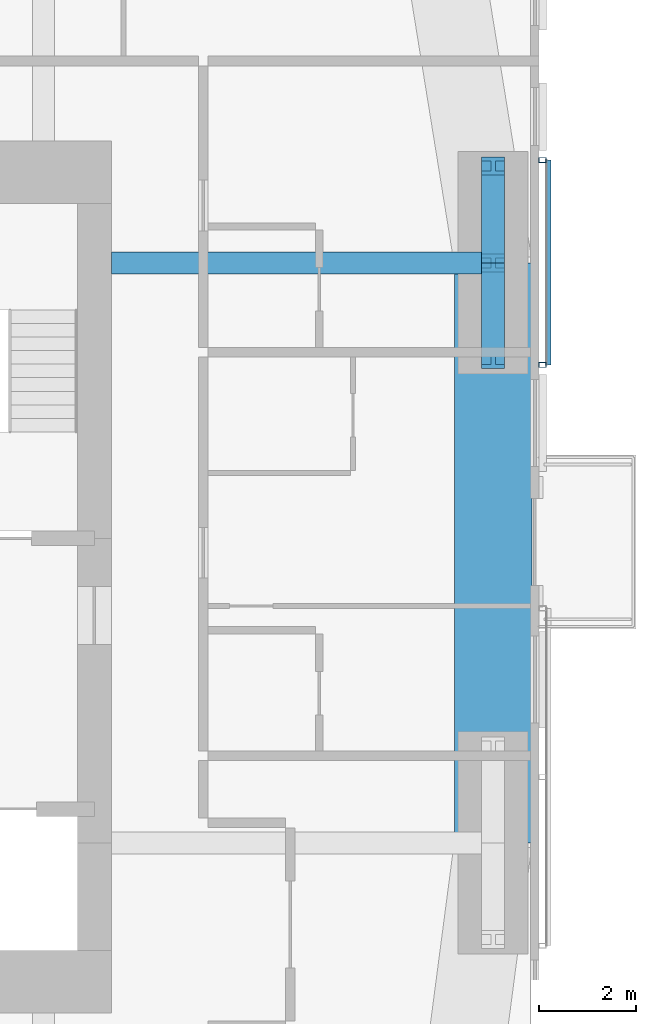
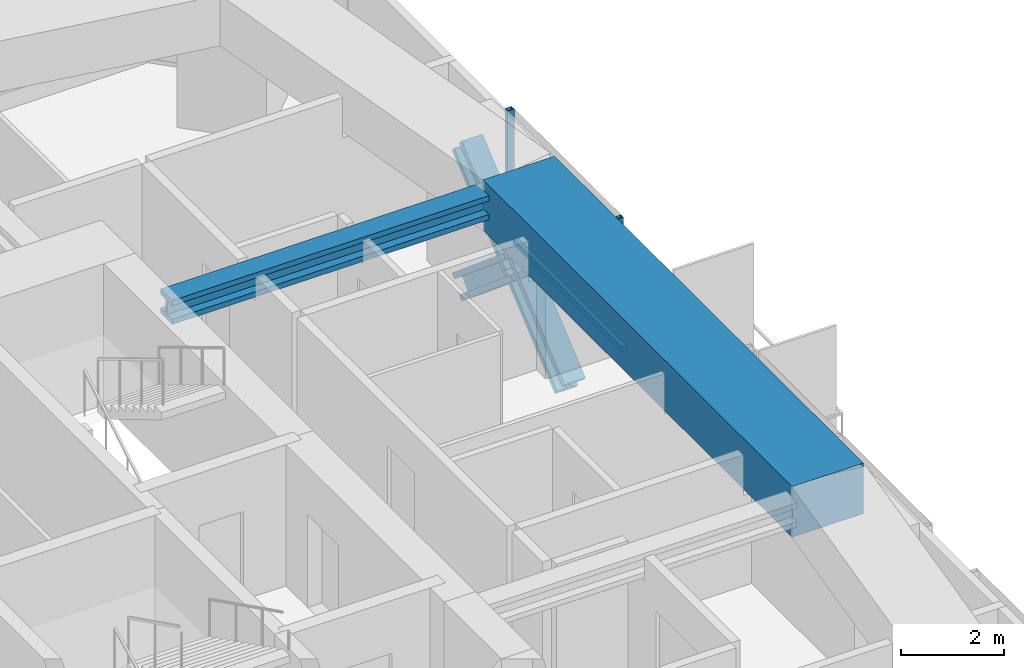
# One storey, part 8 of 22: 7 members, 2 beams, 1 element without a shape of its own.
"""IFC4 building model written with IfcOpenShell, lengths in metres."""

from ifc_helpers import new_model, si_unit, direction, frame, origin, origin_2d, place, context, subcontext, project, spatial, rectangle, hollow_rectangle, i_section, extrude, material, material_profile, profile_set, type_object, element, aggregate, save


model = new_model("IFC4")

# Units and contexts
model_context = context("Model", 3, precision=1e-05, world=origin(), true_north=direction((0.0, 1.0)))
body_context = subcontext(model_context, "Body", "Model", "MODEL_VIEW")
ifc_project = project(units=[si_unit("LENGTHUNIT", "METRE"), si_unit("AREAUNIT", "SQUARE_METRE"), si_unit("VOLUMEUNIT", "CUBIC_METRE"), si_unit("PLANEANGLEUNIT", "RADIAN"), si_unit("MASSUNIT", "GRAM", prefix="KILO")], contexts=[model_context])

# Site, building, storey
site_placement = place(None, origin())
site = spatial("IfcSite", under=ifc_project, at=site_placement, CompositionType="ELEMENT")
building_placement = place(site_placement, origin())
building = spatial("IfcBuilding", under=site, at=building_placement, Name="Jalousie Tower", CompositionType="ELEMENT")
storey_placement = place(building_placement, frame((0.0, 0.0, 177.800048828125)))
storey = spatial("IfcBuildingStorey", under=building, at=storey_placement, Name="L48", CompositionType="ELEMENT", Elevation=177.800048828125)

# Beam
ifc_material_1 = material(Name="Steel ASTM A992 Grade 50", Category="steel")
ifc_material_profile_1 = material_profile(ifc_material_1, i_section(OverallWidth=0.45458984375, OverallDepth=0.569091796875, WebThickness=0.077880859375, FlangeThickness=0.124755859375, at=origin_2d()), Name="W14X730")
ifc_profile_set_1 = profile_set([ifc_material_profile_1], Name="Steel ASTM A992 Grade 50")
beam_type_1 = type_object("IfcBeamType", Name="LEAN COLLECTOR W14X730", PredefinedType="BEAM", material=ifc_profile_set_1)
beam_1_placement = place(storey_placement, frame((52.050048828125, 25.0, 2.825439453125), z_axis=(-1.0, 0.0, 0.0), x_axis=(0.0, -1.0, 0.0)))
element("IfcBeam", 1, at=beam_1_placement, inside=storey, type_object=beam_type_1, Name="Lean collector under L49", PredefinedType="BEAM", context=body_context, shape_type="SweptSolid", body=[
    extrude(i_section(OverallWidth=0.45458984375, OverallDepth=0.569091796875, WebThickness=0.077880859375, FlangeThickness=0.124755859375, at=origin_2d()), origin(), (0.0, 0.0, 1.0), 7.900146484375),
])

# Members
ifc_material_2 = material(Name="Steel ASTM A992 Grade 50", Category="steel")
ifc_material_profile_2 = material_profile(ifc_material_2, i_section(OverallWidth=0.472412109375, OverallDepth=0.5791015625, WebThickness=0.094970703125, FlangeThickness=0.1298828125, at=origin_2d()), Name="W14X808")
ifc_profile_set_2 = profile_set([ifc_material_profile_2], Name="Steel ASTM A992 Grade 50")
member_type_1 = type_object("IfcMemberType", Name="PERIMETER BRACE W14X808", PredefinedType="BRACE", material=ifc_profile_set_2)
for number, where, z_axis, x_axis, name in (
    (2, (52.050048828125, 23.0, -0.60009765625), (0.0, 0.766638753323, 0.642078672674), (-1.0, 0.0, 0.0), "Perimeter brace 07 L48 part 1"),
    (3, (52.050048828125, 25.0, 1.074951171875), (0.0, 0.766638753323, 0.642078672674), (-1.0, 0.0, 0.0), "Perimeter brace 07 L48 part 2"),
    (4, (52.050048828125, 27.0, -0.60009765625), (0.0, -0.766638753323, 0.642078672674), (1.0, 0.0, 0.0), "Perimeter brace 07 L48 part 3"),
    (5, (52.050048828125, 25.0, 1.074951171875), (0.0, -0.766638753323, 0.642078672674), (1.0, 0.0, 0.0), "Perimeter brace 07 L48 part 4"),
):
    element("IfcMember", number, at=place(storey_placement, frame(where, z_axis=z_axis, x_axis=x_axis)), inside=storey, type_object=member_type_1, Name=name, PredefinedType="BRACE", context=body_context, shape_type="SweptSolid", body=[
        extrude(i_section(OverallWidth=0.472412109375, OverallDepth=0.5791015625, WebThickness=0.094970703125, FlangeThickness=0.1298828125, at=origin_2d()), origin(), (0.0, 0.0, 1.0), 2.60888671875),
    ])

# Beam
ifc_material_3 = material(Name="Concrete f'c 40 MPa", Category="concrete")
ifc_material_profile_3 = material_profile(ifc_material_3, rectangle(XDim=1.60009765625, YDim=1.199951171875, at=origin_2d()), Name="RC 1600x1200")
ifc_profile_set_3 = profile_set([ifc_material_profile_3], Name="Concrete f'c 40 MPa")
beam_type_2 = type_object("IfcBeamType", Name="RC BEAM 1600x1200", PredefinedType="BEAM", material=ifc_profile_set_3)
beam_2_placement = place(storey_placement, frame((52.050048828125, 13.0, 2.75), z_axis=(0.0, 1.0, 0.0), x_axis=(-1.0, 0.0, 0.0)))
element("IfcBeam", 6, at=beam_2_placement, inside=storey, type_object=beam_type_2, Name="Edge band beam 06-07 under L49", PredefinedType="BEAM", context=body_context, shape_type="SweptSolid", body=[
    extrude(rectangle(XDim=1.60009765625, YDim=1.199951171875, at=origin_2d()), origin(), (0.0, 0.0, 1.0), 12.0),
])

# Curtain wall, members
ifc_material_4 = material(Name="Perforated aluminium sheet", Category="aluminium")
curtain_wall_type = type_object("IfcCurtainWallType", Name="SOLAR SCREEN SS-1", PredefinedType="USERDEFINED", material=ifc_material_4)
curtain_wall_placement = place(storey_placement, origin())
curtain_wall = element("IfcCurtainWall", 7, at=curtain_wall_placement, inside=storey, type_object=curtain_wall_type, Name="Solar screen L48", ObjectType="SOLAR SCREEN SS-1", PredefinedType="USERDEFINED")
ifc_material_5 = material(Name="Steel ASTM A500 Grade C", Category="steel")
ifc_material_profile_4 = material_profile(ifc_material_5, hollow_rectangle(XDim=0.1015625, YDim=0.15234375, WallThickness=0.00634765625, at=origin_2d()), Name="HSS6X4X1/4")
ifc_profile_set_4 = profile_set([ifc_material_profile_4], Name="Steel ASTM A500 Grade C")
member_type_2 = type_object("IfcMemberType", Name="SOLAR SCREEN SS-1 MULLION", PredefinedType="MULLION", material=ifc_profile_set_4)
member_1_placement = place(storey_placement, frame((53.0712890625, 22.887451171875, -0.1201171875), z_axis=(0.0, 0.0, 1.0), x_axis=(0.0, 1.0, 0.0)))
member_1 = element("IfcMember", 8, at=member_1_placement, type_object=member_type_2, Name="SS1 post 1", PredefinedType="MULLION", context=body_context, shape_type="SweptSolid", body=[
    extrude(hollow_rectangle(XDim=0.1015625, YDim=0.15234375, WallThickness=0.00634765625, at=origin_2d()), origin(), (0.0, 0.0, 1.0), 3.22998046875),
])
member_2_placement = place(storey_placement, frame((53.0712890625, 27.12451171875, -0.1201171875), z_axis=(0.0, 0.0, 1.0), x_axis=(0.0, 1.0, 0.0)))
member_2 = element("IfcMember", 9, at=member_2_placement, type_object=member_type_2, Name="SS1 post 2", PredefinedType="MULLION", context=body_context, shape_type="SweptSolid", body=[
    extrude(hollow_rectangle(XDim=0.1015625, YDim=0.15234375, WallThickness=0.00634765625, at=origin_2d()), origin(), (0.0, 0.0, 1.0), 3.22998046875),
])
ifc_material_6 = material(Name="Extruded aluminium screen rail", Category="aluminium")
ifc_material_profile_5 = material_profile(ifc_material_6, rectangle(XDim=0.1015625, YDim=0.1201171875, at=origin_2d()), Name="RAIL 102x120")
ifc_profile_set_5 = profile_set([ifc_material_profile_5], Name="Extruded aluminium screen rail")
member_type_3 = type_object("IfcMemberType", Name="SOLAR SCREEN SS-1 TRANSOM", PredefinedType="USERDEFINED", material=ifc_profile_set_5)
member_3_placement = place(storey_placement, frame((53.1982421875, 22.887451171875, -0.06005859375), z_axis=(0.0, 1.0, 0.0), x_axis=(-1.0, 0.0, 0.0)))
member_3 = element("IfcMember", 10, at=member_3_placement, type_object=member_type_3, Name="SS1 rail", ObjectType="TRANSOM", PredefinedType="USERDEFINED", context=body_context, shape_type="SweptSolid", body=[
    extrude(rectangle(XDim=0.1015625, YDim=0.1201171875, at=origin_2d()), origin(), (0.0, 0.0, 1.0), 4.237060546875),
])
aggregate(curtain_wall, [member_1, member_2, member_3])

save(model, "model.ifc")
